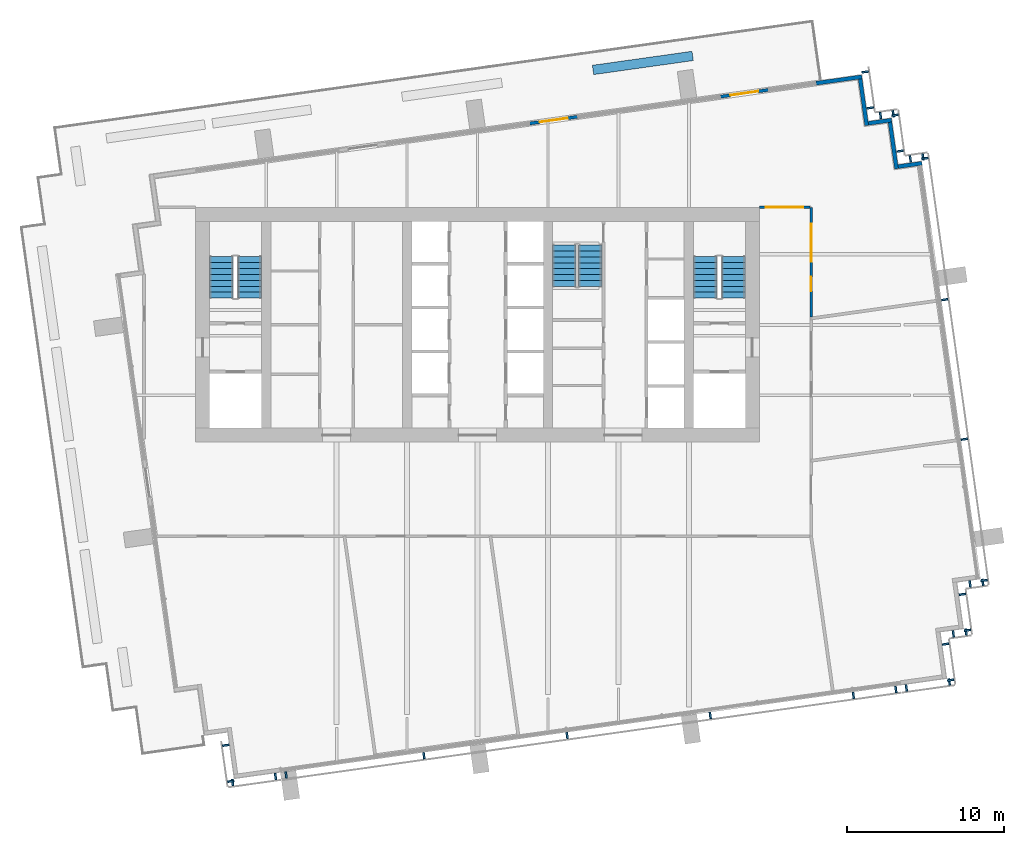
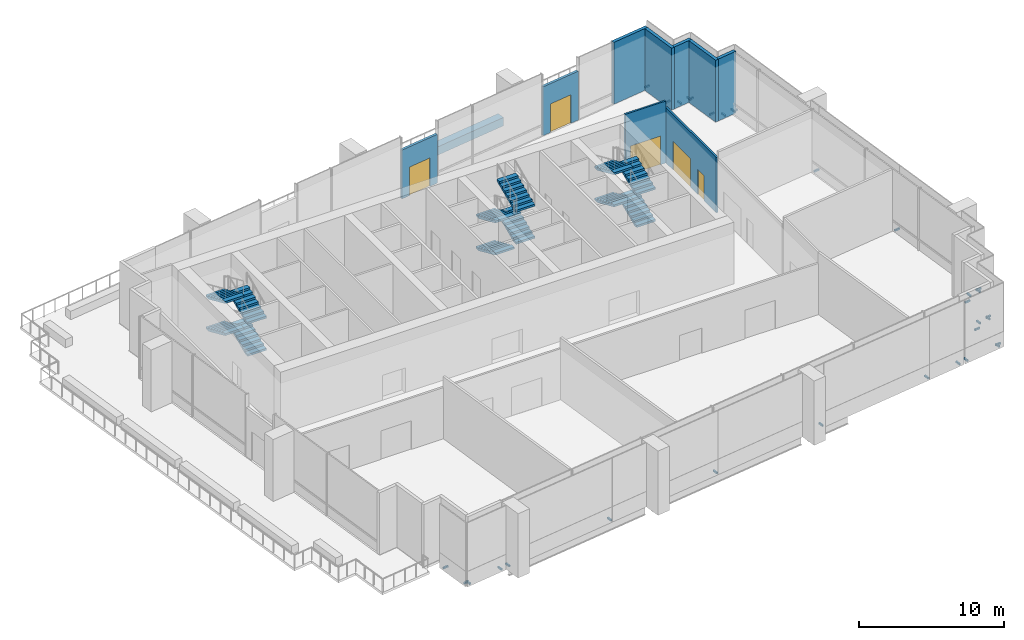
# One storey, part 9 of 18: 32 discrete accessories, 12 stair flights, 10 walls, 3 doors, 2 windows, 5 openings, 3 elements without a shape of their own.
"""IFC4 building model written with IfcOpenShell, lengths in metres."""

from ifc_helpers import new_model, si_unit, direction, frame, frame_2d, origin, origin_2d, place, context, subcontext, project, spatial, polyline, rectangle, outline, extrude, material, layer, layer_set, type_object, element, fill, aggregate, save


model = new_model("IFC4")

# Units and contexts
model_context = context("Model", 3, precision=1e-05, world=origin(), true_north=direction((0.0, 1.0)))
body_context = subcontext(model_context, "Body", "Model", "MODEL_VIEW")
ifc_project = project(units=[si_unit("LENGTHUNIT", "METRE"), si_unit("AREAUNIT", "SQUARE_METRE"), si_unit("VOLUMEUNIT", "CUBIC_METRE"), si_unit("PLANEANGLEUNIT", "RADIAN"), si_unit("MASSUNIT", "GRAM", prefix="KILO")], contexts=[model_context])

# Site, building, storey
site_placement = place(None, origin())
site = spatial("IfcSite", under=ifc_project, at=site_placement, CompositionType="ELEMENT")
building_placement = place(site_placement, origin())
building = spatial("IfcBuilding", under=site, at=building_placement, Name="Rattan Terrace Tower", CompositionType="ELEMENT")
storey_placement = place(building_placement, frame((0.0, 0.0, 208.10009765625)))
storey = spatial("IfcBuildingStorey", under=building, at=storey_placement, Name="L47", CompositionType="ELEMENT", Elevation=208.10009765625)

# Wall, opening, door
ifc_material_1 = material(Name="Insulated aluminium-clad stud wall", Category="aluminium")
ifc_layer_1 = layer(ifc_material_1, 0.199951171875)
ifc_layer_set_1 = layer_set([ifc_layer_1], Name="Facade Door Wall 200")
wall_type_1 = type_object("IfcWallType", Name="Facade Door Wall 200", PredefinedType="SOLIDWALL", material=ifc_layer_set_1)
wall_1_placement = place(storey_placement, frame((18.567626953125, 14.997314453125, 0.0), z_axis=(0.0, 0.0, 1.0), x_axis=(-0.990269054578, -0.139166086189, 0.0)))
wall_1 = element("IfcWall", 1, at=wall_1_placement, inside=storey, type_object=wall_type_1, Name="Terrace door wall L47-11", PredefinedType="SOLIDWALL", context=body_context, shape_type="SweptSolid", body=[
    extrude(rectangle(XDim=3.0771484375, YDim=0.199951171875, at=frame_2d((1.53857421875, 0.0))), origin(), (0.0, 0.0, 1.0), 4.099853515625),
])
opening_1_placement = place(wall_1_placement, frame((0.638427734375, 0.0, 0.0)))
opening_1 = element("IfcOpeningElement", 2, at=opening_1_placement, cuts=wall_1, Name="Opening L47-D701", PredefinedType="OPENING", context=body_context, shape_type="SweptSolid", body=[
    extrude(rectangle(XDim=1.800048828125, YDim=2.39990234375, at=frame_2d((0.89990234375, 1.199951171875))), frame((0.0, 0.110595703125, 0.0), z_axis=(0.0, -1.0, 0.0), x_axis=(1.0, 0.0, 0.0)), (0.0, 0.0, 1.0), 0.220947265625),
])
ifc_material_2 = material(Name="Aluminium and clear glass", Category="aluminium")
door_type_1 = type_object("IfcDoorType", Name="Facade Terrace Door 1800", OperationType="DOUBLE_DOOR_SINGLE_SWING", PredefinedType="DOOR", material=ifc_material_2)
door_1_placement = place(opening_1_placement, origin())
door_1 = element("IfcDoor", 3, at=door_1_placement, inside=storey, type_object=door_type_1, Name="Terrace door L47-D701", OperationType="DOUBLE_DOOR_SINGLE_SWING", OverallHeight=2.39990234375, OverallWidth=1.800048828125, PredefinedType="DOOR", context=body_context, shape_type="SweptSolid", body=[
    extrude(rectangle(XDim=1.800048828125, YDim=2.39990234375, at=frame_2d((0.89990234375, 1.199951171875))), frame((0.0, 0.02490234375, 0.0), z_axis=(0.0, -1.0, 0.0), x_axis=(1.0, 0.0, 0.0)), (0.0, 0.0, 1.0), 0.050048828125),
])
fill(opening_1, door_1)

wall_2_placement = place(storey_placement, frame((6.37939453125, 13.284423828125, 0.0), z_axis=(0.0, 0.0, 1.0), x_axis=(-0.990269054578, -0.139166086189, 0.0)))
wall_2 = element("IfcWall", 4, at=wall_2_placement, inside=storey, type_object=wall_type_1, Name="Terrace door wall L47-12", PredefinedType="SOLIDWALL", context=body_context, shape_type="SweptSolid", body=[
    extrude(rectangle(XDim=3.0771484375, YDim=0.199951171875, at=frame_2d((1.53857421875, 0.0))), origin(), (0.0, 0.0, 1.0), 4.099853515625),
])
opening_2_placement = place(wall_2_placement, frame((0.638427734375, 0.0, 0.0)))
opening_2 = element("IfcOpeningElement", 5, at=opening_2_placement, cuts=wall_2, Name="Opening L47-D702", PredefinedType="OPENING", context=body_context, shape_type="SweptSolid", body=[
    extrude(rectangle(XDim=1.800048828125, YDim=2.39990234375, at=frame_2d((0.89990234375, 1.199951171875))), frame((0.0, 0.110595703125, 0.0), z_axis=(0.0, -1.0, 0.0), x_axis=(1.0, 0.0, 0.0)), (0.0, 0.0, 1.0), 0.220947265625),
])
door_2_placement = place(opening_2_placement, origin())
door_2 = element("IfcDoor", 6, at=door_2_placement, inside=storey, type_object=door_type_1, Name="Terrace door L47-D702", OperationType="DOUBLE_DOOR_SINGLE_SWING", OverallHeight=2.39990234375, OverallWidth=1.800048828125, PredefinedType="DOOR", context=body_context, shape_type="SweptSolid", body=[
    extrude(rectangle(XDim=1.800048828125, YDim=2.39990234375, at=frame_2d((0.89990234375, 1.199951171875))), frame((0.0, 0.02490234375, 0.0), z_axis=(0.0, -1.0, 0.0), x_axis=(1.0, 0.0, 0.0)), (0.0, 0.0, 1.0), 0.050048828125),
])
fill(opening_2, door_2)

# Walls
ifc_material_3 = material(Name="Precast concrete C30/37", Category="concrete")
ifc_layer_2 = layer(ifc_material_3, 0.60009765625)
ifc_layer_set_2 = layer_set([ifc_layer_2], Name="Facade Planter Wall 600")
wall_type_2 = type_object("IfcWallType", Name="Facade Planter Wall 600", PredefinedType="SOLIDWALL", material=ifc_layer_set_2)
wall_3_placement = place(storey_placement, frame((7.376953125, 16.27392578125, 0.0), z_axis=(0.0, 0.0, 1.0), x_axis=(0.990272863581, 0.139138979643, 0.0)))
element("IfcWall", 7, at=wall_3_placement, inside=storey, type_object=wall_type_2, Name="PLANTER bed L47-10", PredefinedType="SOLIDWALL", context=body_context, shape_type="SweptSolid", body=[
    extrude(rectangle(XDim=6.425537109375, YDim=0.60009765625, at=frame_2d((3.212890625, 0.0))), origin(), (0.0, 0.0, 1.0), 0.699951171875),
])
ifc_material_4 = material(Name="Insulated aluminium-clad stud wall", Category="aluminium")
ifc_layer_3 = layer(ifc_material_4, 0.25)
ifc_layer_set_3 = layer_set([ifc_layer_3], Name="Facade Riser Wall 250")
wall_type_3 = type_object("IfcWallType", Name="Facade Riser Wall 250", PredefinedType="SOLIDWALL", material=ifc_layer_set_3)
wall_4_placement = place(storey_placement, frame((28.371826171875, 10.31591796875, 0.0), z_axis=(0.0, 0.0, 1.0), x_axis=(-0.990226193633, -0.139470733288, 0.0)))
element("IfcWall", 8, at=wall_4_placement, inside=storey, type_object=wall_type_3, Name="Riser wall L47-6", PredefinedType="SOLIDWALL", context=body_context, shape_type="SweptSolid", body=[
    extrude(rectangle(XDim=1.524658203125, YDim=0.25, at=frame_2d((0.76220703125, 0.0))), origin(), (0.0, 0.0, 1.0), 5.199951171875),
])
wall_5_placement = place(storey_placement, frame((26.755859375, 9.962158203125, 0.0), z_axis=(0.0, 0.0, 1.0), x_axis=(-0.139393225799, 0.990237107263, 0.0)))
element("IfcWall", 9, at=wall_5_placement, inside=storey, type_object=wall_type_3, Name="Riser wall L47-7", PredefinedType="SOLIDWALL", context=body_context, shape_type="SweptSolid", body=[
    extrude(rectangle(XDim=3.000244140625, YDim=0.25, at=frame_2d((1.5, 0.0))), origin(), (0.0, 0.0, 1.0), 5.199951171875),
])
wall_6_placement = place(storey_placement, frame((26.444091796875, 13.074462890625, 0.0), z_axis=(0.0, 0.0, 1.0), x_axis=(-0.990240434918, -0.139369584395, 0.0)))
element("IfcWall", 10, at=wall_6_placement, inside=storey, type_object=wall_type_3, Name="Riser wall L47-8", PredefinedType="SOLIDWALL", context=body_context, shape_type="SweptSolid", body=[
    extrude(rectangle(XDim=1.49951171875, YDim=0.25, at=frame_2d((0.749755859375, 0.0))), origin(), (0.0, 0.0, 1.0), 5.199951171875),
])
wall_7_placement = place(storey_placement, frame((24.852783203125, 12.72412109375, 0.0), z_axis=(0.0, 0.0, 1.0), x_axis=(-0.139302206688, 0.990249915532, 0.0)))
element("IfcWall", 11, at=wall_7_placement, inside=storey, type_object=wall_type_3, Name="Riser wall L47-9", PredefinedType="SOLIDWALL", context=body_context, shape_type="SweptSolid", body=[
    extrude(rectangle(XDim=3.00048828125, YDim=0.25, at=frame_2d((1.500244140625, 0.0))), origin(), (0.0, 0.0, 1.0), 5.199951171875),
])
wall_8_placement = place(storey_placement, frame((24.541015625, 15.83642578125, 0.0), z_axis=(0.0, 0.0, 1.0), x_axis=(-0.990285396533, -0.139049751574, 0.0)))
element("IfcWall", 12, at=wall_8_placement, inside=storey, type_object=wall_type_3, Name="Riser wall L47-10", PredefinedType="SOLIDWALL", context=body_context, shape_type="SweptSolid", body=[
    extrude(rectangle(XDim=2.955078125, YDim=0.25, at=frame_2d((1.4775390625, 0.0))), origin(), (0.0, 0.0, 1.0), 5.199951171875),
])

# Wall, opening, window
ifc_material_5 = material(Name="Gypsum board partition on steel studs, fire rated", Category="steel")
ifc_layer_4 = layer(ifc_material_5, 0.14990234375)
ifc_layer_set_4 = layer_set([ifc_layer_4], Name="Floors Tenancy Wall 150")
wall_type_4 = type_object("IfcWallType", Name="Floors Tenancy Wall 150", PredefinedType="PARTITIONING", material=ifc_layer_set_4)
wall_9_placement = place(storey_placement, frame((18.0, 7.5, 0.0), z_axis=(0.0, 0.0, 1.0), x_axis=(1.0, 0.0, 0.0)))
wall_9 = element("IfcWall", 13, at=wall_9_placement, inside=storey, type_object=wall_type_4, Name="pt-L47-007", PredefinedType="PARTITIONING", context=body_context, shape_type="SweptSolid", body=[
    extrude(rectangle(XDim=3.22509765625, YDim=0.14990234375, at=frame_2d((1.612548828125, 0.0))), origin(), (0.0, 0.0, 1.0), 5.199951171875),
])
opening_3_placement = place(wall_9_placement, frame((0.412109375, 0.0, 0.0)))
opening_3 = element("IfcOpeningElement", 14, at=opening_3_placement, cuts=wall_9, Name="Opening L47-W104", PredefinedType="OPENING", context=body_context, shape_type="SweptSolid", body=[
    extrude(rectangle(XDim=2.39990234375, YDim=2.39990234375, at=frame_2d((1.199951171875, 1.199951171875))), frame((0.0, 0.08544921875, 0.0), z_axis=(0.0, -1.0, 0.0), x_axis=(1.0, 0.0, 0.0)), (0.0, 0.0, 1.0), 0.1708984375),
])
ifc_material_6 = material(Name="Glass, clear, fixed in aluminium frame", Category="aluminium")
window_type = type_object("IfcWindowType", Name="Interior Glazed Screen 2400x2400", PartitioningType="SINGLE_PANEL", PredefinedType="WINDOW", material=ifc_material_6)
window_1_placement = place(opening_3_placement, origin())
window_1 = element("IfcWindow", 15, at=window_1_placement, inside=storey, type_object=window_type, Name="w-L47-104", OverallHeight=2.39990234375, OverallWidth=2.39990234375, PartitioningType="SINGLE_PANEL", PredefinedType="WINDOW", context=body_context, shape_type="SweptSolid", body=[
    extrude(rectangle(XDim=2.39990234375, YDim=2.39990234375, at=frame_2d((1.199951171875, 1.199951171875))), frame((0.0, 0.030029296875, 0.0), z_axis=(0.0, -1.0, 0.0), x_axis=(1.0, 0.0, 0.0)), (0.0, 0.0, 1.0), 0.06005859375),
])
fill(opening_3, window_1)

# Wall, openings, door, window
wall_10_placement = place(storey_placement, frame((21.300048828125, 7.5, 0.0), z_axis=(0.0, 0.0, 1.0), x_axis=(0.0, -1.0, 0.0)))
wall_10 = element("IfcWall", 16, at=wall_10_placement, inside=storey, type_object=wall_type_4, Name="pt-L47-008", PredefinedType="PARTITIONING", context=body_context, shape_type="SweptSolid", body=[
    extrude(rectangle(XDim=6.993896484375, YDim=0.14990234375, at=frame_2d((3.4970703125, 0.0))), origin(), (0.0, 0.0, 1.0), 4.64990234375),
])
opening_4_placement = place(wall_10_placement, frame((4.445068359375, 0.0, 0.0)))
opening_4 = element("IfcOpeningElement", 17, at=opening_4_placement, cuts=wall_10, Name="Opening L47-D105", PredefinedType="OPENING", context=body_context, shape_type="SweptSolid", body=[
    extrude(rectangle(XDim=0.89990234375, YDim=2.10009765625, at=frame_2d((0.449951171875, 1.050048828125))), frame((0.0, 0.08544921875, 0.0), z_axis=(0.0, -1.0, 0.0), x_axis=(1.0, 0.0, 0.0)), (0.0, 0.0, 1.0), 0.1708984375),
])
opening_5_placement = place(wall_10_placement, frame((1.06005859375, 0.0, 0.0)))
opening_5 = element("IfcOpeningElement", 18, at=opening_5_placement, cuts=wall_10, Name="Opening L47-W105", PredefinedType="OPENING", context=body_context, shape_type="SweptSolid", body=[
    extrude(rectangle(XDim=2.39990234375, YDim=2.39990234375, at=frame_2d((1.199951171875, 1.199951171875))), frame((0.0, 0.08544921875, 0.0), z_axis=(0.0, -1.0, 0.0), x_axis=(1.0, 0.0, 0.0)), (0.0, 0.0, 1.0), 0.1708984375),
])
ifc_material_7 = material(Name="Steel fire door set", Category="steel")
door_type_2 = type_object("IfcDoorType", Name="Floors Fire Door FD30S 900x2100", OperationType="NOTDEFINED", PredefinedType="DOOR", material=ifc_material_7)
door_3_placement = place(opening_4_placement, origin())
door_3 = element("IfcDoor", 19, at=door_3_placement, inside=storey, type_object=door_type_2, Name="d-L47-105", OperationType="SINGLE_SWING_RIGHT", OverallHeight=2.10009765625, OverallWidth=0.89990234375, PredefinedType="DOOR", context=body_context, shape_type="SweptSolid", body=[
    extrude(rectangle(XDim=0.89990234375, YDim=2.10009765625, at=frame_2d((0.449951171875, 1.050048828125))), frame((0.0, 0.02490234375, 0.0), z_axis=(0.0, -1.0, 0.0), x_axis=(1.0, 0.0, 0.0)), (0.0, 0.0, 1.0), 0.050048828125),
])
fill(opening_4, door_3)
window_2_placement = place(opening_5_placement, origin())
window_2 = element("IfcWindow", 20, at=window_2_placement, inside=storey, type_object=window_type, Name="w-L47-105", OverallHeight=2.39990234375, OverallWidth=2.39990234375, PartitioningType="SINGLE_PANEL", PredefinedType="WINDOW", context=body_context, shape_type="SweptSolid", body=[
    extrude(rectangle(XDim=2.39990234375, YDim=2.39990234375, at=frame_2d((1.199951171875, 1.199951171875))), frame((0.0, 0.030029296875, 0.0), z_axis=(0.0, -1.0, 0.0), x_axis=(1.0, 0.0, 0.0)), (0.0, 0.0, 1.0), 0.06005859375),
])
fill(opening_5, window_2)

# Stair, stair flights
ifc_material_8 = material(Name="Concrete C40/50", Category="concrete")
stair_type = type_object("IfcStairType", Name="Core exit stair 1500", PredefinedType="HALF_TURN_STAIR", material=ifc_material_8)
stair_1_placement = place(storey_placement, origin())
stair_1 = element("IfcStair", 21, at=stair_1_placement, inside=storey, type_object=stair_type, Name="L47 exit stair 1", PredefinedType="HALF_TURN_STAIR")
ifc_material_9 = material(Name="Concrete C40/50", Category="concrete")
stair_flight_type = type_object("IfcStairFlightType", Name="Core exit stair flight 1500", PredefinedType="STRAIGHT", material=ifc_material_9)
stair_flight_1_placement = place(storey_placement, frame((-14.550048828125, 1.699951171875, 0.0), z_axis=(0.0, 0.0, 1.0), x_axis=(0.0, 1.0, 0.0)))
stair_flight_1 = element("IfcStairFlight", 22, at=stair_flight_1_placement, type_object=stair_flight_type, Name="S1 flight 1", NumberOfRisers=8, NumberOfTreads=7, PredefinedType="STRAIGHT", RiserHeight=0.16875, TreadLength=0.38, context=body_context, shape_type="SweptSolid", body=[
    extrude(outline(polyline([(0.0, 0.0), (0.0, 0.168701171875), (0.3798828125, 0.168701171875), (0.3798828125, 0.33740234375), (0.760009765625, 0.33740234375), (0.760009765625, 0.50634765625), (1.139892578125, 0.50634765625), (1.139892578125, 0.675048828125), (1.52001953125, 0.675048828125), (1.52001953125, 0.84375), (1.89990234375, 0.84375), (1.89990234375, 1.012451171875), (2.280029296875, 1.012451171875), (2.280029296875, 1.18115234375), (2.659912109375, 1.18115234375), (2.659912109375, 1.35009765625), (2.659912109375, 1.017333984375), (0.369384765625, 0.0), (0.0, 0.0)])), frame((0.0, 0.75, 0.0), z_axis=(0.0, -1.0, 0.0), x_axis=(1.0, 0.0, 0.0)), (0.0, 0.0, 1.0), 1.5),
])
stair_flight_2_placement = place(storey_placement, frame((-16.35009765625, 4.360107421875, 1.349853515625), z_axis=(0.0, 0.0, 1.0), x_axis=(0.0, -1.0, 0.0)))
stair_flight_2 = element("IfcStairFlight", 23, at=stair_flight_2_placement, type_object=stair_flight_type, Name="S1 flight 2", NumberOfRisers=8, NumberOfTreads=7, PredefinedType="STRAIGHT", RiserHeight=0.16875, TreadLength=0.38, context=body_context, shape_type="SweptSolid", body=[
    extrude(outline(polyline([(0.0, 0.0), (0.0, 0.168701171875), (0.3798828125, 0.168701171875), (0.3798828125, 0.33740234375), (0.760009765625, 0.33740234375), (0.760009765625, 0.50634765625), (1.139892578125, 0.50634765625), (1.139892578125, 0.675048828125), (1.52001953125, 0.675048828125), (1.52001953125, 0.84375), (1.89990234375, 0.84375), (1.89990234375, 1.012451171875), (2.280029296875, 1.012451171875), (2.280029296875, 1.18115234375), (2.659912109375, 1.18115234375), (2.659912109375, 1.35009765625), (2.659912109375, 1.017333984375), (0.369384765625, 0.0), (0.0, 0.0)])), frame((0.0, 0.75, 0.0), z_axis=(0.0, -1.0, 0.0), x_axis=(1.0, 0.0, 0.0)), (0.0, 0.0, 1.0), 1.5),
])
stair_flight_3_placement = place(storey_placement, frame((-14.550048828125, 1.699951171875, 2.699951171875), z_axis=(0.0, 0.0, 1.0), x_axis=(0.0, 1.0, 0.0)))
stair_flight_3 = element("IfcStairFlight", 24, at=stair_flight_3_placement, type_object=stair_flight_type, Name="S1 flight 3", NumberOfRisers=8, NumberOfTreads=7, PredefinedType="STRAIGHT", RiserHeight=0.16875, TreadLength=0.38, context=body_context, shape_type="SweptSolid", body=[
    extrude(outline(polyline([(0.0, 0.0), (0.0, 0.168701171875), (0.3798828125, 0.168701171875), (0.3798828125, 0.33740234375), (0.760009765625, 0.33740234375), (0.760009765625, 0.50634765625), (1.139892578125, 0.50634765625), (1.139892578125, 0.675048828125), (1.52001953125, 0.675048828125), (1.52001953125, 0.84375), (1.89990234375, 0.84375), (1.89990234375, 1.012451171875), (2.280029296875, 1.012451171875), (2.280029296875, 1.18115234375), (2.659912109375, 1.18115234375), (2.659912109375, 1.35009765625), (2.659912109375, 1.017333984375), (0.369384765625, 0.0), (0.0, 0.0)])), frame((0.0, 0.75, 0.0), z_axis=(0.0, -1.0, 0.0), x_axis=(1.0, 0.0, 0.0)), (0.0, 0.0, 1.0), 1.5),
])
stair_flight_4_placement = place(storey_placement, frame((-16.35009765625, 4.360107421875, 4.0498046875), z_axis=(0.0, 0.0, 1.0), x_axis=(0.0, -1.0, 0.0)))
stair_flight_4 = element("IfcStairFlight", 25, at=stair_flight_4_placement, type_object=stair_flight_type, Name="S1 flight 4", NumberOfRisers=8, NumberOfTreads=7, PredefinedType="STRAIGHT", RiserHeight=0.16875, TreadLength=0.38, context=body_context, shape_type="SweptSolid", body=[
    extrude(outline(polyline([(0.0, 0.0), (0.0, 0.168701171875), (0.3798828125, 0.168701171875), (0.3798828125, 0.33740234375), (0.760009765625, 0.33740234375), (0.760009765625, 0.50634765625), (1.139892578125, 0.50634765625), (1.139892578125, 0.675048828125), (1.52001953125, 0.675048828125), (1.52001953125, 0.84375), (1.89990234375, 0.84375), (1.89990234375, 1.012451171875), (2.280029296875, 1.012451171875), (2.280029296875, 1.18115234375), (2.659912109375, 1.18115234375), (2.659912109375, 1.35009765625), (2.659912109375, 1.017333984375), (0.369384765625, 0.0), (0.0, 0.0)])), frame((0.0, 0.75, 0.0), z_axis=(0.0, -1.0, 0.0), x_axis=(1.0, 0.0, 0.0)), (0.0, 0.0, 1.0), 1.5),
])
aggregate(stair_1, [stair_flight_1, stair_flight_2, stair_flight_3, stair_flight_4])

stair_2_placement = place(storey_placement, origin())
stair_2 = element("IfcStair", 26, at=stair_2_placement, inside=storey, type_object=stair_type, Name="L47 exit stair 2", PredefinedType="HALF_TURN_STAIR")
stair_flight_5_placement = place(storey_placement, frame((16.35009765625, 1.699951171875, 0.0), z_axis=(0.0, 0.0, 1.0), x_axis=(0.0, 1.0, 0.0)))
stair_flight_5 = element("IfcStairFlight", 27, at=stair_flight_5_placement, type_object=stair_flight_type, Name="S2 flight 1", NumberOfRisers=8, NumberOfTreads=7, PredefinedType="STRAIGHT", RiserHeight=0.16875, TreadLength=0.38, context=body_context, shape_type="SweptSolid", body=[
    extrude(outline(polyline([(0.0, 0.0), (0.0, 0.168701171875), (0.3798828125, 0.168701171875), (0.3798828125, 0.33740234375), (0.760009765625, 0.33740234375), (0.760009765625, 0.50634765625), (1.139892578125, 0.50634765625), (1.139892578125, 0.675048828125), (1.52001953125, 0.675048828125), (1.52001953125, 0.84375), (1.89990234375, 0.84375), (1.89990234375, 1.012451171875), (2.280029296875, 1.012451171875), (2.280029296875, 1.18115234375), (2.659912109375, 1.18115234375), (2.659912109375, 1.35009765625), (2.659912109375, 1.017333984375), (0.369384765625, 0.0), (0.0, 0.0)])), frame((0.0, 0.75, 0.0), z_axis=(0.0, -1.0, 0.0), x_axis=(1.0, 0.0, 0.0)), (0.0, 0.0, 1.0), 1.5),
])
stair_flight_6_placement = place(storey_placement, frame((14.550048828125, 4.360107421875, 1.349853515625), z_axis=(0.0, 0.0, 1.0), x_axis=(0.0, -1.0, 0.0)))
stair_flight_6 = element("IfcStairFlight", 28, at=stair_flight_6_placement, type_object=stair_flight_type, Name="S2 flight 2", NumberOfRisers=8, NumberOfTreads=7, PredefinedType="STRAIGHT", RiserHeight=0.16875, TreadLength=0.38, context=body_context, shape_type="SweptSolid", body=[
    extrude(outline(polyline([(0.0, 0.0), (0.0, 0.168701171875), (0.3798828125, 0.168701171875), (0.3798828125, 0.33740234375), (0.760009765625, 0.33740234375), (0.760009765625, 0.50634765625), (1.139892578125, 0.50634765625), (1.139892578125, 0.675048828125), (1.52001953125, 0.675048828125), (1.52001953125, 0.84375), (1.89990234375, 0.84375), (1.89990234375, 1.012451171875), (2.280029296875, 1.012451171875), (2.280029296875, 1.18115234375), (2.659912109375, 1.18115234375), (2.659912109375, 1.35009765625), (2.659912109375, 1.017333984375), (0.369384765625, 0.0), (0.0, 0.0)])), frame((0.0, 0.75, 0.0), z_axis=(0.0, -1.0, 0.0), x_axis=(1.0, 0.0, 0.0)), (0.0, 0.0, 1.0), 1.5),
])
stair_flight_7_placement = place(storey_placement, frame((16.35009765625, 1.699951171875, 2.699951171875), z_axis=(0.0, 0.0, 1.0), x_axis=(0.0, 1.0, 0.0)))
stair_flight_7 = element("IfcStairFlight", 29, at=stair_flight_7_placement, type_object=stair_flight_type, Name="S2 flight 3", NumberOfRisers=8, NumberOfTreads=7, PredefinedType="STRAIGHT", RiserHeight=0.16875, TreadLength=0.38, context=body_context, shape_type="SweptSolid", body=[
    extrude(outline(polyline([(0.0, 0.0), (0.0, 0.168701171875), (0.3798828125, 0.168701171875), (0.3798828125, 0.33740234375), (0.760009765625, 0.33740234375), (0.760009765625, 0.50634765625), (1.139892578125, 0.50634765625), (1.139892578125, 0.675048828125), (1.52001953125, 0.675048828125), (1.52001953125, 0.84375), (1.89990234375, 0.84375), (1.89990234375, 1.012451171875), (2.280029296875, 1.012451171875), (2.280029296875, 1.18115234375), (2.659912109375, 1.18115234375), (2.659912109375, 1.35009765625), (2.659912109375, 1.017333984375), (0.369384765625, 0.0), (0.0, 0.0)])), frame((0.0, 0.75, 0.0), z_axis=(0.0, -1.0, 0.0), x_axis=(1.0, 0.0, 0.0)), (0.0, 0.0, 1.0), 1.5),
])
stair_flight_8_placement = place(storey_placement, frame((14.550048828125, 4.360107421875, 4.0498046875), z_axis=(0.0, 0.0, 1.0), x_axis=(0.0, -1.0, 0.0)))
stair_flight_8 = element("IfcStairFlight", 30, at=stair_flight_8_placement, type_object=stair_flight_type, Name="S2 flight 4", NumberOfRisers=8, NumberOfTreads=7, PredefinedType="STRAIGHT", RiserHeight=0.16875, TreadLength=0.38, context=body_context, shape_type="SweptSolid", body=[
    extrude(outline(polyline([(0.0, 0.0), (0.0, 0.168701171875), (0.3798828125, 0.168701171875), (0.3798828125, 0.33740234375), (0.760009765625, 0.33740234375), (0.760009765625, 0.50634765625), (1.139892578125, 0.50634765625), (1.139892578125, 0.675048828125), (1.52001953125, 0.675048828125), (1.52001953125, 0.84375), (1.89990234375, 0.84375), (1.89990234375, 1.012451171875), (2.280029296875, 1.012451171875), (2.280029296875, 1.18115234375), (2.659912109375, 1.18115234375), (2.659912109375, 1.35009765625), (2.659912109375, 1.017333984375), (0.369384765625, 0.0), (0.0, 0.0)])), frame((0.0, 0.75, 0.0), z_axis=(0.0, -1.0, 0.0), x_axis=(1.0, 0.0, 0.0)), (0.0, 0.0, 1.0), 1.5),
])
aggregate(stair_2, [stair_flight_5, stair_flight_6, stair_flight_7, stair_flight_8])

stair_3_placement = place(storey_placement, origin())
stair_3 = element("IfcStair", 31, at=stair_3_placement, inside=storey, type_object=stair_type, Name="L47 exit stair 3", PredefinedType="HALF_TURN_STAIR")
stair_flight_9_placement = place(storey_placement, frame((5.550048828125, 5.10009765625, 0.0), z_axis=(0.0, 0.0, 1.0), x_axis=(0.0, -1.0, 0.0)))
stair_flight_9 = element("IfcStairFlight", 32, at=stair_flight_9_placement, type_object=stair_flight_type, Name="S3 flight 1", NumberOfRisers=8, NumberOfTreads=7, PredefinedType="STRAIGHT", RiserHeight=0.16875, TreadLength=0.38, context=body_context, shape_type="SweptSolid", body=[
    extrude(outline(polyline([(0.0, 0.0), (0.0, 0.168701171875), (0.3798828125, 0.168701171875), (0.3798828125, 0.33740234375), (0.760009765625, 0.33740234375), (0.760009765625, 0.50634765625), (1.139892578125, 0.50634765625), (1.139892578125, 0.675048828125), (1.52001953125, 0.675048828125), (1.52001953125, 0.84375), (1.89990234375, 0.84375), (1.89990234375, 1.012451171875), (2.280029296875, 1.012451171875), (2.280029296875, 1.18115234375), (2.659912109375, 1.18115234375), (2.659912109375, 1.35009765625), (2.659912109375, 1.017333984375), (0.369384765625, 0.0), (0.0, 0.0)])), frame((0.0, 0.75, 0.0), z_axis=(0.0, -1.0, 0.0), x_axis=(1.0, 0.0, 0.0)), (0.0, 0.0, 1.0), 1.5),
])
stair_flight_10_placement = place(storey_placement, frame((7.199951171875, 2.43994140625, 1.349853515625), z_axis=(0.0, 0.0, 1.0), x_axis=(0.0, 1.0, 0.0)))
stair_flight_10 = element("IfcStairFlight", 33, at=stair_flight_10_placement, type_object=stair_flight_type, Name="S3 flight 2", NumberOfRisers=8, NumberOfTreads=7, PredefinedType="STRAIGHT", RiserHeight=0.16875, TreadLength=0.38, context=body_context, shape_type="SweptSolid", body=[
    extrude(outline(polyline([(0.0, 0.0), (0.0, 0.168701171875), (0.3798828125, 0.168701171875), (0.3798828125, 0.33740234375), (0.760009765625, 0.33740234375), (0.760009765625, 0.50634765625), (1.139892578125, 0.50634765625), (1.139892578125, 0.675048828125), (1.52001953125, 0.675048828125), (1.52001953125, 0.84375), (1.89990234375, 0.84375), (1.89990234375, 1.012451171875), (2.280029296875, 1.012451171875), (2.280029296875, 1.18115234375), (2.659912109375, 1.18115234375), (2.659912109375, 1.35009765625), (2.659912109375, 1.017333984375), (0.369384765625, 0.0), (0.0, 0.0)])), frame((0.0, 0.75, 0.0), z_axis=(0.0, -1.0, 0.0), x_axis=(1.0, 0.0, 0.0)), (0.0, 0.0, 1.0), 1.5),
])
stair_flight_11_placement = place(storey_placement, frame((5.550048828125, 5.10009765625, 2.699951171875), z_axis=(0.0, 0.0, 1.0), x_axis=(0.0, -1.0, 0.0)))
stair_flight_11 = element("IfcStairFlight", 34, at=stair_flight_11_placement, type_object=stair_flight_type, Name="S3 flight 3", NumberOfRisers=8, NumberOfTreads=7, PredefinedType="STRAIGHT", RiserHeight=0.16875, TreadLength=0.38, context=body_context, shape_type="SweptSolid", body=[
    extrude(outline(polyline([(0.0, 0.0), (0.0, 0.168701171875), (0.3798828125, 0.168701171875), (0.3798828125, 0.33740234375), (0.760009765625, 0.33740234375), (0.760009765625, 0.50634765625), (1.139892578125, 0.50634765625), (1.139892578125, 0.675048828125), (1.52001953125, 0.675048828125), (1.52001953125, 0.84375), (1.89990234375, 0.84375), (1.89990234375, 1.012451171875), (2.280029296875, 1.012451171875), (2.280029296875, 1.18115234375), (2.659912109375, 1.18115234375), (2.659912109375, 1.35009765625), (2.659912109375, 1.017333984375), (0.369384765625, 0.0), (0.0, 0.0)])), frame((0.0, 0.75, 0.0), z_axis=(0.0, -1.0, 0.0), x_axis=(1.0, 0.0, 0.0)), (0.0, 0.0, 1.0), 1.5),
])
stair_flight_12_placement = place(storey_placement, frame((7.199951171875, 2.43994140625, 4.0498046875), z_axis=(0.0, 0.0, 1.0), x_axis=(0.0, 1.0, 0.0)))
stair_flight_12 = element("IfcStairFlight", 35, at=stair_flight_12_placement, type_object=stair_flight_type, Name="S3 flight 4", NumberOfRisers=8, NumberOfTreads=7, PredefinedType="STRAIGHT", RiserHeight=0.16875, TreadLength=0.38, context=body_context, shape_type="SweptSolid", body=[
    extrude(outline(polyline([(0.0, 0.0), (0.0, 0.168701171875), (0.3798828125, 0.168701171875), (0.3798828125, 0.33740234375), (0.760009765625, 0.33740234375), (0.760009765625, 0.50634765625), (1.139892578125, 0.50634765625), (1.139892578125, 0.675048828125), (1.52001953125, 0.675048828125), (1.52001953125, 0.84375), (1.89990234375, 0.84375), (1.89990234375, 1.012451171875), (2.280029296875, 1.012451171875), (2.280029296875, 1.18115234375), (2.659912109375, 1.18115234375), (2.659912109375, 1.35009765625), (2.659912109375, 1.017333984375), (0.369384765625, 0.0), (0.0, 0.0)])), frame((0.0, 0.75, 0.0), z_axis=(0.0, -1.0, 0.0), x_axis=(1.0, 0.0, 0.0)), (0.0, 0.0, 1.0), 1.5),
])
aggregate(stair_3, [stair_flight_9, stair_flight_10, stair_flight_11, stair_flight_12])

# Discrete accessories
for number, where, z_axis, x_axis, name in (
    (36, (27.385009765625, -23.1875, -0.169921875), (0.0, 0.0, 1.0), (0.990247240581, 0.139321220646, 0.0), "Panel bracket L47-1"),
    (37, (30.1279296875, -22.8017578125, -0.169921875), (0.0, 0.0, 1.0), (0.990247240581, 0.139321220646, 0.0), "Panel bracket L47-2"),
    (38, (30.213134765625, -22.6884765625, -0.169921875), (0.0, 0.0, 1.0), (-0.138994363123, 0.990293172258, 0.0), "Panel bracket L47-3"),
    (39, (29.890869140625, -20.391357421875, -0.169921875), (0.0, 0.0, 1.0), (-0.138994363123, 0.990293172258, 0.0), "Panel bracket L47-4"),
    (40, (30.384521484375, -19.736328125, -0.169921875), (0.0, 0.0, 1.0), (0.990332587523, 0.138713251317, 0.0), "Panel bracket L47-5"),
    (41, (31.1962890625, -19.62255859375, -0.169921875), (0.0, 0.0, 1.0), (0.990332587523, 0.138713251317, 0.0), "Panel bracket L47-6"),
    (42, (31.28125, -19.510009765625, -0.169921875), (0.0, 0.0, 1.0), (-0.139321220646, 0.990247240581, 0.0), "Panel bracket L47-7"),
    (43, (30.9580078125, -17.212158203125, -0.169921875), (0.0, 0.0, 1.0), (-0.139321220646, 0.990247240581, 0.0), "Panel bracket L47-8"),
    (44, (31.45166015625, -16.556884765625, -0.169921875), (0.0, 0.0, 1.0), (0.99025370695, 0.139275252184, 0.0), "Panel bracket L47-9"),
    (45, (32.26416015625, -16.442626953125, -0.169921875), (0.0, 0.0, 1.0), (0.99025370695, 0.139275252184, 0.0), "Panel bracket L47-10"),
    (46, (32.349365234375, -16.32958984375, -0.169921875), (0.0, 0.0, 1.0), (-0.139186165309, 0.990266232579, 0.0), "Panel bracket L47-11"),
    (47, (31.081298828125, -7.308349609375, -0.169921875), (0.0, 0.0, 1.0), (-0.139186165309, 0.990266232579, 0.0), "Panel bracket L47-12"),
    (48, (29.82861328125, 1.60400390625, -0.169921875), (0.0, 0.0, 1.0), (-0.139186165309, 0.990266232579, 0.0), "Panel bracket L47-13"),
    (49, (28.560546875, 10.625244140625, -0.169921875), (0.0, 0.0, 1.0), (-0.139186165309, 0.990266232579, 0.0), "Panel bracket L47-14"),
    (50, (28.44775390625, 10.710205078125, -0.169921875), (0.0, 0.0, 1.0), (-0.990240767803, -0.139367219175, 0.0), "Panel bracket L47-15"),
    (51, (27.635986328125, 10.595947265625, -0.169921875), (0.0, 0.0, 1.0), (-0.990240767803, -0.139367219175, 0.0), "Panel bracket L47-16"),
    (52, (26.98095703125, 11.089599609375, -0.169921875), (0.0, 0.0, 1.0), (-0.139321220646, 0.990247240581, 0.0), "Panel bracket L47-17"),
    (53, (26.65771484375, 13.38720703125, -0.169921875), (0.0, 0.0, 1.0), (-0.139321220646, 0.990247240581, 0.0), "Panel bracket L47-18"),
    (54, (26.544677734375, 13.47216796875, -0.169921875), (0.0, 0.0, 1.0), (-0.990240767803, -0.139367219175, 0.0), "Panel bracket L47-19"),
    (55, (25.733154296875, 13.358154296875, -0.169921875), (0.0, 0.0, 1.0), (-0.990240767803, -0.139367219175, 0.0), "Panel bracket L47-20"),
    (56, (25.077880859375, 13.8515625, -0.169921875), (0.0, 0.0, 1.0), (-0.139321220646, 0.990247240581, 0.0), "Panel bracket L47-21"),
    (57, (24.754638671875, 16.14892578125, -0.169921875), (0.0, 0.0, 1.0), (-0.139321220646, 0.990247240581, 0.0), "Panel bracket L47-22"),
    (58, (-16.077880859375, -26.8515625, -0.169921875), (0.0, 0.0, 1.0), (0.139321220646, -0.990247240581, 0.0), "Panel bracket L47-23"),
    (59, (-15.754638671875, -29.14892578125, -0.169921875), (0.0, 0.0, 1.0), (0.139321220646, -0.990247240581, 0.0), "Panel bracket L47-24"),
    (60, (-15.6416015625, -29.234130859375, -0.169921875), (0.0, 0.0, 1.0), (0.990293172258, 0.138994363123, 0.0), "Panel bracket L47-25"),
    (61, (-12.8984375, -28.84912109375, -0.169921875), (0.0, 0.0, 1.0), (0.990293172258, 0.138994363123, 0.0), "Panel bracket L47-26"),
    (62, (-12.22509765625, -28.754638671875, -0.169921875), (0.0, 0.0, 1.0), (0.990267457022, 0.139177453499, 0.0), "Panel bracket L47-27"),
    (63, (-3.420654296875, -27.517333984375, -0.169921875), (0.0, 0.0, 1.0), (0.990267457022, 0.139177453499, 0.0), "Panel bracket L47-28"),
    (64, (5.720458984375, -26.232421875, -0.169921875), (0.0, 0.0, 1.0), (0.990267457022, 0.139177453499, 0.0), "Panel bracket L47-29"),
    (65, (14.861572265625, -24.94775390625, -0.169921875), (0.0, 0.0, 1.0), (0.990267457022, 0.139177453499, 0.0), "Panel bracket L47-30"),
    (66, (24.0029296875, -23.6630859375, -0.169921875), (0.0, 0.0, 1.0), (0.990267457022, 0.139177453499, 0.0), "Panel bracket L47-31"),
    (67, (26.711669921875, -23.2822265625, -0.169921875), (0.0, 0.0, 1.0), (0.990267457022, 0.139177453499, 0.0), "Panel bracket L47-32"),
):
    element("IfcDiscreteAccessory", number, at=place(storey_placement, frame(where, z_axis=z_axis, x_axis=x_axis)), inside=storey, Name=name, PredefinedType="BRACKET", context=body_context, shape_type="SweptSolid", body=[
        extrude(rectangle(XDim=0.1201171875, YDim=0.419921875, at=origin_2d()), origin(), (0.0, 0.0, 1.0), 0.139892578125),
    ])

save(model, "model.ifc")
